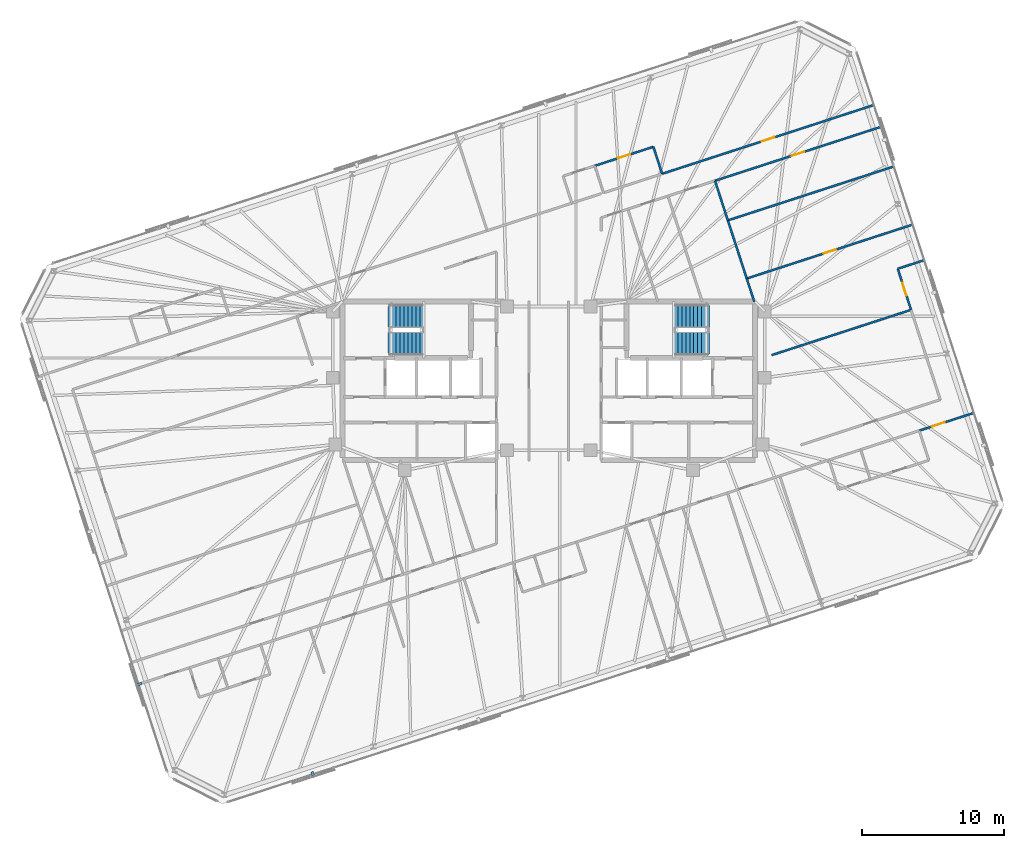
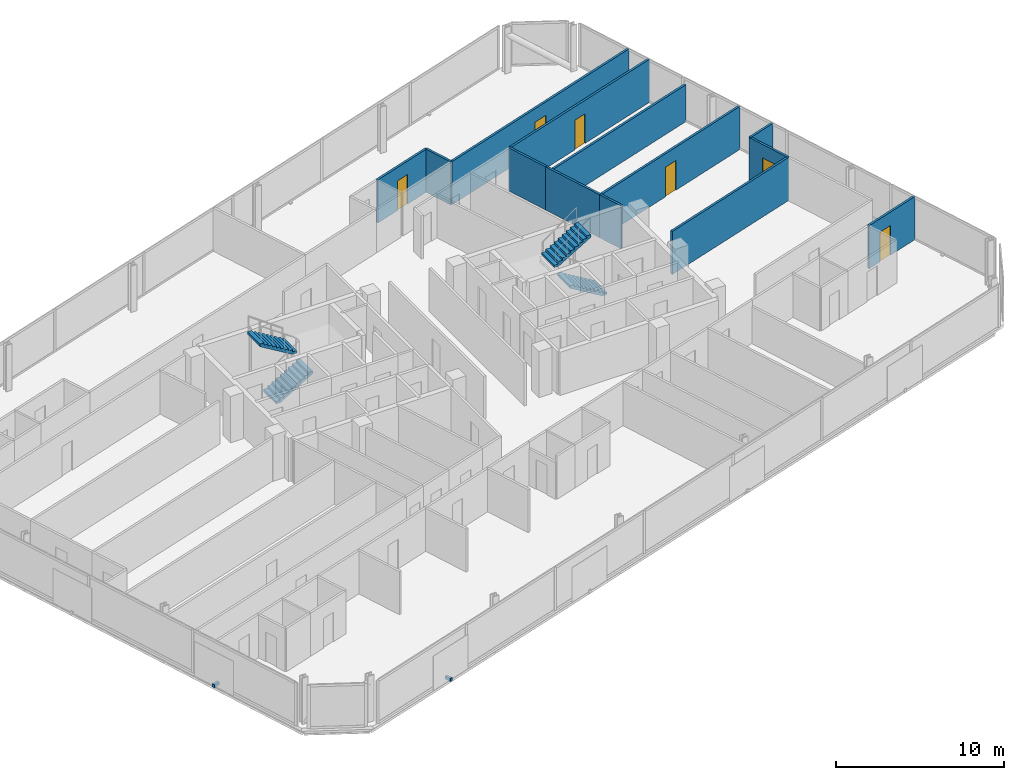
# One storey, part 17 of 19: 13 walls, 6 doors, 4 stair flights, 2 discrete accessories, 6 openings, 2 elements without a shape of their own.
"""IFC4 building model written with IfcOpenShell, lengths in metres."""

from ifc_helpers import new_model, si_unit, direction, frame, frame_2d, origin, origin_2d, place, context, subcontext, project, spatial, polyline, rectangle, outline, extrude, material, layer, layer_set, type_object, element, fill, aggregate, save


model = new_model("IFC4")

# Units and contexts
model_context = context("Model", 3, precision=1e-05, world=origin(), true_north=direction((0.0, 1.0)))
body_context = subcontext(model_context, "Body", "Model", "MODEL_VIEW")
ifc_project = project(units=[si_unit("LENGTHUNIT", "METRE"), si_unit("AREAUNIT", "SQUARE_METRE"), si_unit("VOLUMEUNIT", "CUBIC_METRE"), si_unit("PLANEANGLEUNIT", "RADIAN"), si_unit("MASSUNIT", "GRAM", prefix="KILO")], contexts=[model_context])

# Site, building, storey
site_placement = place(None, origin())
site = spatial("IfcSite", under=ifc_project, at=site_placement, CompositionType="ELEMENT")
building_placement = place(site_placement, origin())
building = spatial("IfcBuilding", under=site, at=building_placement, Name="Menara Jurai Vektor", CompositionType="ELEMENT")
storey_placement = place(building_placement, frame((0.0, 0.0, 214.25)))
storey = spatial("IfcBuildingStorey", under=building, at=storey_placement, Name="L56", CompositionType="ELEMENT", Elevation=214.25)

# Wall, opening, door
ifc_material_1 = material(Name="Gypsum Fireboard Partition", Category="gypsum")
ifc_layer_1 = layer(ifc_material_1, 0.14990234375)
ifc_layer_set_1 = layer_set([ifc_layer_1], Name="Gypsum Fireboard Partition")
wall_type_1 = type_object("IfcWallType", Name="INT-WALL-CORR-150", PredefinedType="PARTITIONING", material=ifc_layer_set_1)
wall_1_placement = place(storey_placement, frame((8.000732421875, 14.61474609375, 0.0), z_axis=(0.0, 0.0, 1.0), x_axis=(0.951056661035, 0.309016548911, 0.0)))
wall_1 = element("IfcWall", 1, at=wall_1_placement, inside=storey, type_object=wall_type_1, Name="Interior Wall IW-150 L56", PredefinedType="PARTITIONING", context=body_context, shape_type="SweptSolid", body=[
    extrude(rectangle(XDim=15.72216796875, YDim=0.14990234375, at=frame_2d((7.861083984375, 0.0))), origin(), (0.0, 0.0, 1.0), 3.125),
])
opening_1_placement = place(wall_1_placement, frame((7.385986328125, 0.0, 0.0)))
opening_1 = element("IfcOpeningElement", 2, at=opening_1_placement, cuts=wall_1, Name="Opening D56-12", PredefinedType="OPENING", context=body_context, shape_type="SweptSolid", body=[
    extrude(rectangle(XDim=0.949951171875, YDim=2.14990234375, at=frame_2d((0.47509765625, 1.074951171875))), frame((0.0, 0.0849609375, 0.0), z_axis=(0.0, -1.0, 0.0), x_axis=(1.0, 0.0, 0.0)), (0.0, 0.0, 1.0), 0.169921875),
])
ifc_material_2 = material(Name="Solid Core Timber Fire Door", Category="wood")
door_type_1 = type_object("IfcDoorType", Name="DR-ENTRY-950", OperationType="NOTDEFINED", PredefinedType="DOOR", material=ifc_material_2)
door_1_placement = place(opening_1_placement, origin())
door_1 = element("IfcDoor", 3, at=door_1_placement, inside=storey, type_object=door_type_1, Name="Interior Door D56-12", OperationType="SINGLE_SWING_LEFT", OverallHeight=2.14990234375, OverallWidth=0.949951171875, PredefinedType="DOOR", context=body_context, shape_type="SweptSolid", body=[
    extrude(rectangle(XDim=0.949951171875, YDim=2.14990234375, at=frame_2d((0.47509765625, 1.074951171875))), frame((0.0, 0.02490234375, 0.0), z_axis=(0.0, -1.0, 0.0), x_axis=(1.0, 0.0, 0.0)), (0.0, 0.0, 1.0), 0.050048828125),
])
fill(opening_1, door_1)

wall_2_placement = place(storey_placement, frame((26.15234375, -3.517578125, 0.0), z_axis=(0.0, 0.0, 1.0), x_axis=(0.951048201303, 0.309042584119, 0.0)))
wall_2 = element("IfcWall", 4, at=wall_2_placement, inside=storey, type_object=wall_type_1, Name="Interior Wall IW-150 L56", PredefinedType="PARTITIONING", context=body_context, shape_type="SweptSolid", body=[
    extrude(rectangle(XDim=4.06201171875, YDim=0.14990234375, at=frame_2d((2.031005859375, 0.0))), origin(), (0.0, 0.0, 1.0), 3.125),
])
opening_2_placement = place(wall_2_placement, frame((0.94677734375, 0.0, 0.0)))
opening_2 = element("IfcOpeningElement", 5, at=opening_2_placement, cuts=wall_2, Name="Opening D56-21", PredefinedType="OPENING", context=body_context, shape_type="SweptSolid", body=[
    extrude(rectangle(XDim=0.949951171875, YDim=2.14990234375, at=frame_2d((0.47509765625, 1.074951171875))), frame((0.0, 0.0849609375, 0.0), z_axis=(0.0, -1.0, 0.0), x_axis=(1.0, 0.0, 0.0)), (0.0, 0.0, 1.0), 0.169921875),
])
door_2_placement = place(opening_2_placement, origin())
door_2 = element("IfcDoor", 6, at=door_2_placement, inside=storey, type_object=door_type_1, Name="Interior Door D56-21", OperationType="SINGLE_SWING_RIGHT", OverallHeight=2.14990234375, OverallWidth=0.949951171875, PredefinedType="DOOR", context=body_context, shape_type="SweptSolid", body=[
    extrude(rectangle(XDim=0.949951171875, YDim=2.14990234375, at=frame_2d((0.47509765625, 1.074951171875))), frame((0.0, 0.02490234375, 0.0), z_axis=(0.0, -1.0, 0.0), x_axis=(1.0, 0.0, 0.0)), (0.0, 0.0, 1.0), 0.050048828125),
])
fill(opening_2, door_2)

wall_3_placement = place(storey_placement, frame((25.57568359375, 5.0107421875, 0.0), z_axis=(0.0, 0.0, 1.0), x_axis=(-0.309011835091, 0.951058192633, 0.0)))
wall_3 = element("IfcWall", 7, at=wall_3_placement, inside=storey, type_object=wall_type_1, Name="Interior Wall IW-150 L56", PredefinedType="PARTITIONING", context=body_context, shape_type="SweptSolid", body=[
    extrude(rectangle(XDim=3.048828125, YDim=0.14990234375, at=frame_2d((1.5244140625, 0.0))), origin(), (0.0, 0.0, 1.0), 3.125),
])
opening_3_placement = place(wall_3_placement, frame((1.064453125, 0.0, 0.0)))
opening_3 = element("IfcOpeningElement", 8, at=opening_3_placement, cuts=wall_3, Name="Opening D56-45", PredefinedType="OPENING", context=body_context, shape_type="SweptSolid", body=[
    extrude(rectangle(XDim=0.919921875, YDim=2.14990234375, at=frame_2d((0.4599609375, 1.074951171875))), frame((0.0, 0.0849609375, 0.0), z_axis=(0.0, -1.0, 0.0), x_axis=(1.0, 0.0, 0.0)), (0.0, 0.0, 1.0), 0.169921875),
])
door_3_placement = place(opening_3_placement, origin())
door_3 = element("IfcDoor", 9, at=door_3_placement, inside=storey, type_object=door_type_1, Name="Interior Door D56-45", OperationType="SINGLE_SWING_RIGHT", OverallHeight=2.14990234375, OverallWidth=0.919921875, PredefinedType="DOOR", context=body_context, shape_type="SweptSolid", body=[
    extrude(rectangle(XDim=0.919921875, YDim=2.14990234375, at=frame_2d((0.4599609375, 1.074951171875))), frame((0.0, 0.02490234375, 0.0), z_axis=(0.0, -1.0, 0.0), x_axis=(1.0, 0.0, 0.0)), (0.0, 0.0, 1.0), 0.050048828125),
])
fill(opening_3, door_3)

# Wall
wall_4_placement = place(storey_placement, frame((24.633544921875, 7.910400390625, 0.0), z_axis=(0.0, 0.0, 1.0), x_axis=(0.951054051148, 0.309024581215, 0.0)))
element("IfcWall", 10, at=wall_4_placement, inside=storey, type_object=wall_type_1, Name="Interior Wall IW-150 L56", PredefinedType="PARTITIONING", context=body_context, shape_type="SweptSolid", body=[
    extrude(rectangle(XDim=1.97509765625, YDim=0.14990234375, at=frame_2d((0.987548828125, 0.0))), origin(), (0.0, 0.0, 1.0), 3.125),
])

# Wall, opening, door
wall_5_placement = place(storey_placement, frame((11.730224609375, 14.123291015625, 0.0), z_axis=(0.0, 0.0, 1.0), x_axis=(0.951060263663, 0.309005460926, 0.0)))
wall_5 = element("IfcWall", 11, at=wall_5_placement, inside=storey, type_object=wall_type_1, Name="Interior Wall IW-150 L56", PredefinedType="PARTITIONING", context=body_context, shape_type="SweptSolid", body=[
    extrude(rectangle(XDim=12.326904296875, YDim=0.14990234375, at=frame_2d((6.16357421875, 0.0))), origin(), (0.0, 0.0, 1.0), 3.125),
])
opening_4_placement = place(wall_5_placement, frame((5.70361328125, 0.0, 0.0)))
opening_4 = element("IfcOpeningElement", 12, at=opening_4_placement, cuts=wall_5, Name="Opening D56-47", PredefinedType="OPENING", context=body_context, shape_type="SweptSolid", body=[
    extrude(rectangle(XDim=0.919921875, YDim=2.14990234375, at=frame_2d((0.4599609375, 1.074951171875))), frame((0.0, 0.0849609375, 0.0), z_axis=(0.0, -1.0, 0.0), x_axis=(1.0, 0.0, 0.0)), (0.0, 0.0, 1.0), 0.169921875),
])
door_4_placement = place(opening_4_placement, origin())
door_4 = element("IfcDoor", 13, at=door_4_placement, inside=storey, type_object=door_type_1, Name="Interior Door D56-47", OperationType="SINGLE_SWING_RIGHT", OverallHeight=2.14990234375, OverallWidth=0.919921875, PredefinedType="DOOR", context=body_context, shape_type="SweptSolid", body=[
    extrude(rectangle(XDim=0.919921875, YDim=2.14990234375, at=frame_2d((0.4599609375, 1.074951171875))), frame((0.0, 0.02490234375, 0.0), z_axis=(0.0, -1.0, 0.0), x_axis=(1.0, 0.0, 0.0)), (0.0, 0.0, 1.0), 0.050048828125),
])
fill(opening_4, door_4)

wall_6_placement = place(storey_placement, frame((3.244140625, 15.177490234375, 0.0), z_axis=(0.0, 0.0, 1.0), x_axis=(0.951052627573, 0.309028962374, 0.0)))
wall_6 = element("IfcWall", 14, at=wall_6_placement, inside=storey, type_object=wall_type_1, Name="Interior Wall IW-150 L56", PredefinedType="PARTITIONING", context=body_context, shape_type="SweptSolid", body=[
    extrude(rectangle(XDim=4.349853515625, YDim=0.14990234375, at=frame_2d((2.1748046875, 0.0))), origin(), (0.0, 0.0, 1.0), 3.125),
])
opening_5_placement = place(wall_6_placement, frame((1.72509765625, 0.0, 0.0)))
opening_5 = element("IfcOpeningElement", 15, at=opening_5_placement, cuts=wall_6, Name="Opening D56-14", PredefinedType="OPENING", context=body_context, shape_type="SweptSolid", body=[
    extrude(rectangle(XDim=0.89990234375, YDim=2.14990234375, at=frame_2d((0.449951171875, 1.074951171875))), frame((0.0, 0.0849609375, 0.0), z_axis=(0.0, -1.0, 0.0), x_axis=(1.0, 0.0, 0.0)), (0.0, 0.0, 1.0), 0.169921875),
])
ifc_material_3 = material(Name="Acoustic Timber Interior Door", Category="wood")
door_type_2 = type_object("IfcDoorType", Name="DR-ROOM-900", OperationType="NOTDEFINED", PredefinedType="DOOR", material=ifc_material_3)
door_5_placement = place(opening_5_placement, origin())
door_5 = element("IfcDoor", 16, at=door_5_placement, inside=storey, type_object=door_type_2, Name="Interior Door D56-14", OperationType="SINGLE_SWING_LEFT", OverallHeight=2.14990234375, OverallWidth=0.89990234375, PredefinedType="DOOR", context=body_context, shape_type="SweptSolid", body=[
    extrude(rectangle(XDim=0.89990234375, YDim=2.14990234375, at=frame_2d((0.449951171875, 1.074951171875))), frame((0.0, 0.02490234375, 0.0), z_axis=(0.0, -1.0, 0.0), x_axis=(1.0, 0.0, 0.0)), (0.0, 0.0, 1.0), 0.050048828125),
])
fill(opening_5, door_5)

# Walls
wall_7_placement = place(storey_placement, frame((8.000732421875, 14.61474609375, 0.0), z_axis=(0.0, 0.0, 1.0), x_axis=(-0.309022749039, 0.951054646472, 0.0)))
element("IfcWall", 17, at=wall_7_placement, inside=storey, type_object=wall_type_1, Name="Interior Wall IW-150 L56", PredefinedType="PARTITIONING", context=body_context, shape_type="SweptSolid", body=[
    extrude(rectangle(XDim=2.005126953125, YDim=0.14990234375, at=frame_2d((1.00244140625, 0.0))), origin(), (0.0, 0.0, 1.0), 3.125),
])
wall_8_placement = place(storey_placement, frame((14.49951171875, 5.599853515625, 0.0), z_axis=(0.0, 0.0, 1.0), x_axis=(-0.308872364299, 0.951103497298, 0.0)))
element("IfcWall", 18, at=wall_8_placement, inside=storey, type_object=wall_type_1, Name="Interior Wall IW-150 L56", PredefinedType="PARTITIONING", context=body_context, shape_type="SweptSolid", body=[
    extrude(rectangle(XDim=1.704833984375, YDim=0.14990234375, at=frame_2d((0.8525390625, 0.0))), origin(), (0.0, 0.0, 1.0), 3.125),
])
wall_9_placement = place(storey_placement, frame((13.972900390625, 7.221435546875, 0.0), z_axis=(0.0, 0.0, 1.0), x_axis=(-0.309038735568, 0.951049451879, 0.0)))
element("IfcWall", 19, at=wall_9_placement, inside=storey, type_object=wall_type_1, Name="Interior Wall IW-150 L56", PredefinedType="PARTITIONING", context=body_context, shape_type="SweptSolid", body=[
    extrude(rectangle(XDim=4.31494140625, YDim=0.14990234375, at=frame_2d((2.157470703125, 0.0))), origin(), (0.0, 0.0, 1.0), 3.125),
])
wall_10_placement = place(storey_placement, frame((12.639404296875, 11.3251953125, 0.0), z_axis=(0.0, 0.0, 1.0), x_axis=(-0.309024151982, 0.951054190618, 0.0)))
element("IfcWall", 20, at=wall_10_placement, inside=storey, type_object=wall_type_1, Name="Interior Wall IW-150 L56", PredefinedType="PARTITIONING", context=body_context, shape_type="SweptSolid", body=[
    extrude(rectangle(XDim=2.942138671875, YDim=0.14990234375, at=frame_2d((1.47119140625, 0.0))), origin(), (0.0, 0.0, 1.0), 3.125),
])
wall_11_placement = place(storey_placement, frame((15.73046875, 1.811767578125, 0.0), z_axis=(0.0, 0.0, 1.0), x_axis=(0.951054517802, 0.309023145037, 0.0)))
element("IfcWall", 21, at=wall_11_placement, inside=storey, type_object=wall_type_1, Name="Interior Wall IW-150 L56", PredefinedType="PARTITIONING", context=body_context, shape_type="SweptSolid", body=[
    extrude(rectangle(XDim=10.351806640625, YDim=0.14990234375, at=frame_2d((5.17578125, 0.0))), origin(), (0.0, 0.0, 1.0), 3.125),
])

# Wall, opening, door
wall_12_placement = place(storey_placement, frame((13.972900390625, 7.221435546875, 0.0), z_axis=(0.0, 0.0, 1.0), x_axis=(0.951058372493, 0.309011281527, 0.0)))
wall_12 = element("IfcWall", 22, at=wall_12_placement, inside=storey, type_object=wall_type_1, Name="Interior Wall IW-150 L56", PredefinedType="PARTITIONING", context=body_context, shape_type="SweptSolid", body=[
    extrude(rectangle(XDim=12.32666015625, YDim=0.14990234375, at=frame_2d((6.163330078125, 0.0))), origin(), (0.0, 0.0, 1.0), 3.125),
])
opening_6_placement = place(wall_12_placement, frame((5.70361328125, 0.0, 0.0)))
opening_6 = element("IfcOpeningElement", 23, at=opening_6_placement, cuts=wall_12, Name="Opening D56-46", PredefinedType="OPENING", context=body_context, shape_type="SweptSolid", body=[
    extrude(rectangle(XDim=0.919921875, YDim=2.14990234375, at=frame_2d((0.4599609375, 1.074951171875))), frame((0.0, 0.0849609375, 0.0), z_axis=(0.0, -1.0, 0.0), x_axis=(1.0, 0.0, 0.0)), (0.0, 0.0, 1.0), 0.169921875),
])
door_6_placement = place(opening_6_placement, origin())
door_6 = element("IfcDoor", 24, at=door_6_placement, inside=storey, type_object=door_type_1, Name="Interior Door D56-46", OperationType="SINGLE_SWING_LEFT", OverallHeight=2.14990234375, OverallWidth=0.919921875, PredefinedType="DOOR", context=body_context, shape_type="SweptSolid", body=[
    extrude(rectangle(XDim=0.919921875, YDim=2.14990234375, at=frame_2d((0.4599609375, 1.074951171875))), frame((0.0, 0.02490234375, 0.0), z_axis=(0.0, -1.0, 0.0), x_axis=(1.0, 0.0, 0.0)), (0.0, 0.0, 1.0), 0.050048828125),
])
fill(opening_6, door_6)

# Wall
ifc_layer_2 = layer(ifc_material_1, 0.14990234375)
ifc_layer_set_2 = layer_set([ifc_layer_2], Name="Gypsum Fireboard Partition")
wall_type_2 = type_object("IfcWallType", Name="INT-WALL-CORR-150-H1", PredefinedType="PARTITIONING", material=ifc_layer_set_2)
wall_13_placement = place(storey_placement, frame((12.639404296875, 11.3251953125, 0.0), z_axis=(0.0, 0.0, 1.0), x_axis=(0.951054443032, 0.309023375149, 0.0)))
element("IfcWall", 25, at=wall_13_placement, inside=storey, type_object=wall_type_2, Name="Interior Wall IW-150 L56", PredefinedType="PARTITIONING", context=body_context, shape_type="SweptSolid", body=[
    extrude(rectangle(XDim=12.326904296875, YDim=0.14990234375, at=frame_2d((6.16357421875, 0.0))), origin(), (0.0, 0.0, 1.0), 2.675048828125),
])

# Stair, stair flights
ifc_material_4 = material(Name="Concrete C40/50", Category="concrete")
stair_type = type_object("IfcStairType", Name="STAIR-DOGLEG-1500", PredefinedType="HALF_TURN_STAIR", material=ifc_material_4)
stair_1_placement = place(storey_placement, origin())
stair_1 = element("IfcStair", 26, at=stair_1_placement, inside=storey, type_object=stair_type, Name="Protected Exit Stair ST1 L56", PredefinedType="HALF_TURN_STAIR")
stair_flight_type = type_object("IfcStairFlightType", Name="STAIR-FLIGHT-1500", PredefinedType="STRAIGHT", material=ifc_material_4)
stair_flight_1_placement = place(storey_placement, frame((-11.35009765625, 2.64990234375, 0.0), z_axis=(0.0, 0.0, 1.0), x_axis=(1.0, 0.0, 0.0)))
stair_flight_1 = element("IfcStairFlight", 27, at=stair_flight_1_placement, type_object=stair_flight_type, Name="ST1 flight 1", NumberOfRisers=10, NumberOfTreads=9, PredefinedType="STRAIGHT", RiserHeight=0.1675, TreadLength=0.28, context=body_context, shape_type="SweptSolid", body=[
    extrude(outline(polyline([(0.0, 0.0), (0.0, 0.16748046875), (0.280029296875, 0.16748046875), (0.280029296875, 0.3349609375), (0.56005859375, 0.3349609375), (0.56005859375, 0.50244140625), (0.840087890625, 0.50244140625), (0.840087890625, 0.669921875), (1.1201171875, 0.669921875), (1.1201171875, 0.83740234375), (1.39990234375, 0.83740234375), (1.39990234375, 1.0048828125), (1.679931640625, 1.0048828125), (1.679931640625, 1.172607421875), (1.9599609375, 1.172607421875), (1.9599609375, 1.340087890625), (2.239990234375, 1.340087890625), (2.239990234375, 1.507568359375), (2.52001953125, 1.507568359375), (2.52001953125, 1.675048828125), (2.52001953125, 1.321044921875), (0.3115234375, 0.0), (0.0, 0.0)])), frame((0.0, 0.75, 0.0), z_axis=(0.0, -1.0, 0.0), x_axis=(1.0, 0.0, 0.0)), (0.0, 0.0, 1.0), 1.5),
])
stair_flight_2_placement = place(storey_placement, frame((-8.830078125, 4.550048828125, 1.675048828125), z_axis=(0.0, 0.0, 1.0), x_axis=(-1.0, 0.0, 0.0)))
stair_flight_2 = element("IfcStairFlight", 28, at=stair_flight_2_placement, type_object=stair_flight_type, Name="ST1 flight 2", NumberOfRisers=10, NumberOfTreads=9, PredefinedType="STRAIGHT", RiserHeight=0.1675, TreadLength=0.28, context=body_context, shape_type="SweptSolid", body=[
    extrude(outline(polyline([(0.0, 0.0), (0.0, 0.16748046875), (0.280029296875, 0.16748046875), (0.280029296875, 0.3349609375), (0.56005859375, 0.3349609375), (0.56005859375, 0.50244140625), (0.840087890625, 0.50244140625), (0.840087890625, 0.669921875), (1.1201171875, 0.669921875), (1.1201171875, 0.83740234375), (1.39990234375, 0.83740234375), (1.39990234375, 1.0048828125), (1.679931640625, 1.0048828125), (1.679931640625, 1.172607421875), (1.9599609375, 1.172607421875), (1.9599609375, 1.340087890625), (2.239990234375, 1.340087890625), (2.239990234375, 1.507568359375), (2.52001953125, 1.507568359375), (2.52001953125, 1.675048828125), (2.52001953125, 1.321044921875), (0.3115234375, 0.0), (0.0, 0.0)])), frame((0.0, 0.75, 0.0), z_axis=(0.0, -1.0, 0.0), x_axis=(1.0, 0.0, 0.0)), (0.0, 0.0, 1.0), 1.5),
])
aggregate(stair_1, [stair_flight_1, stair_flight_2])

stair_2_placement = place(storey_placement, origin())
stair_2 = element("IfcStair", 29, at=stair_2_placement, inside=storey, type_object=stair_type, Name="Protected Exit Stair ST2 L56", PredefinedType="HALF_TURN_STAIR")
stair_flight_3_placement = place(storey_placement, frame((11.35009765625, 2.64990234375, 0.0), z_axis=(0.0, 0.0, 1.0), x_axis=(-1.0, 0.0, 0.0)))
stair_flight_3 = element("IfcStairFlight", 30, at=stair_flight_3_placement, type_object=stair_flight_type, Name="ST2 flight 1", NumberOfRisers=10, NumberOfTreads=9, PredefinedType="STRAIGHT", RiserHeight=0.1675, TreadLength=0.28, context=body_context, shape_type="SweptSolid", body=[
    extrude(outline(polyline([(0.0, 0.0), (0.0, 0.16748046875), (0.280029296875, 0.16748046875), (0.280029296875, 0.3349609375), (0.56005859375, 0.3349609375), (0.56005859375, 0.50244140625), (0.840087890625, 0.50244140625), (0.840087890625, 0.669921875), (1.1201171875, 0.669921875), (1.1201171875, 0.83740234375), (1.39990234375, 0.83740234375), (1.39990234375, 1.0048828125), (1.679931640625, 1.0048828125), (1.679931640625, 1.172607421875), (1.9599609375, 1.172607421875), (1.9599609375, 1.340087890625), (2.239990234375, 1.340087890625), (2.239990234375, 1.507568359375), (2.52001953125, 1.507568359375), (2.52001953125, 1.675048828125), (2.52001953125, 1.321044921875), (0.3115234375, 0.0), (0.0, 0.0)])), frame((0.0, 0.75, 0.0), z_axis=(0.0, -1.0, 0.0), x_axis=(1.0, 0.0, 0.0)), (0.0, 0.0, 1.0), 1.5),
])
stair_flight_4_placement = place(storey_placement, frame((8.830078125, 4.550048828125, 1.675048828125), z_axis=(0.0, 0.0, 1.0), x_axis=(1.0, 0.0, 0.0)))
stair_flight_4 = element("IfcStairFlight", 31, at=stair_flight_4_placement, type_object=stair_flight_type, Name="ST2 flight 2", NumberOfRisers=10, NumberOfTreads=9, PredefinedType="STRAIGHT", RiserHeight=0.1675, TreadLength=0.28, context=body_context, shape_type="SweptSolid", body=[
    extrude(outline(polyline([(0.0, 0.0), (0.0, 0.16748046875), (0.280029296875, 0.16748046875), (0.280029296875, 0.3349609375), (0.56005859375, 0.3349609375), (0.56005859375, 0.50244140625), (0.840087890625, 0.50244140625), (0.840087890625, 0.669921875), (1.1201171875, 0.669921875), (1.1201171875, 0.83740234375), (1.39990234375, 0.83740234375), (1.39990234375, 1.0048828125), (1.679931640625, 1.0048828125), (1.679931640625, 1.172607421875), (1.9599609375, 1.172607421875), (1.9599609375, 1.340087890625), (2.239990234375, 1.340087890625), (2.239990234375, 1.507568359375), (2.52001953125, 1.507568359375), (2.52001953125, 1.675048828125), (2.52001953125, 1.321044921875), (0.3115234375, 0.0), (0.0, 0.0)])), frame((0.0, 0.75, 0.0), z_axis=(0.0, -1.0, 0.0), x_axis=(1.0, 0.0, 0.0)), (0.0, 0.0, 1.0), 1.5),
])
aggregate(stair_2, [stair_flight_3, stair_flight_4])

# Discrete accessories
ifc_material_5 = material(Name="Steel S355", Category="steel")
discrete_accessory_type = type_object("IfcDiscreteAccessoryType", Name="ENV-ACC-BRACKET", PredefinedType="BRACKET", material=ifc_material_5)
for number, where, z_axis, x_axis, name in (
    (32, (-16.655029296875, -27.806396484375, -0.1298828125), (0.0, 0.0, 1.0), (0.951056516295, 0.309016994375, 0.0), "Solar Screen Stand-Off Bracket L56-S01"),
    (33, (-28.957763671875, -21.429443359375, -0.1298828125), (0.0, 0.0, 1.0), (0.309016994375, -0.951056516295, 0.0), "Solar Screen Stand-Off Bracket L56-S14"),
):
    element("IfcDiscreteAccessory", number, at=place(storey_placement, frame(where, z_axis=z_axis, x_axis=x_axis)), inside=storey, type_object=discrete_accessory_type, Name=name, PredefinedType="BRACKET", context=body_context, shape_type="SweptSolid", body=[
        extrude(rectangle(XDim=0.179931640625, YDim=0.43994140625, at=origin_2d()), origin(), (0.0, 0.0, 1.0), 0.219970703125),
    ])

save(model, "model.ifc")
